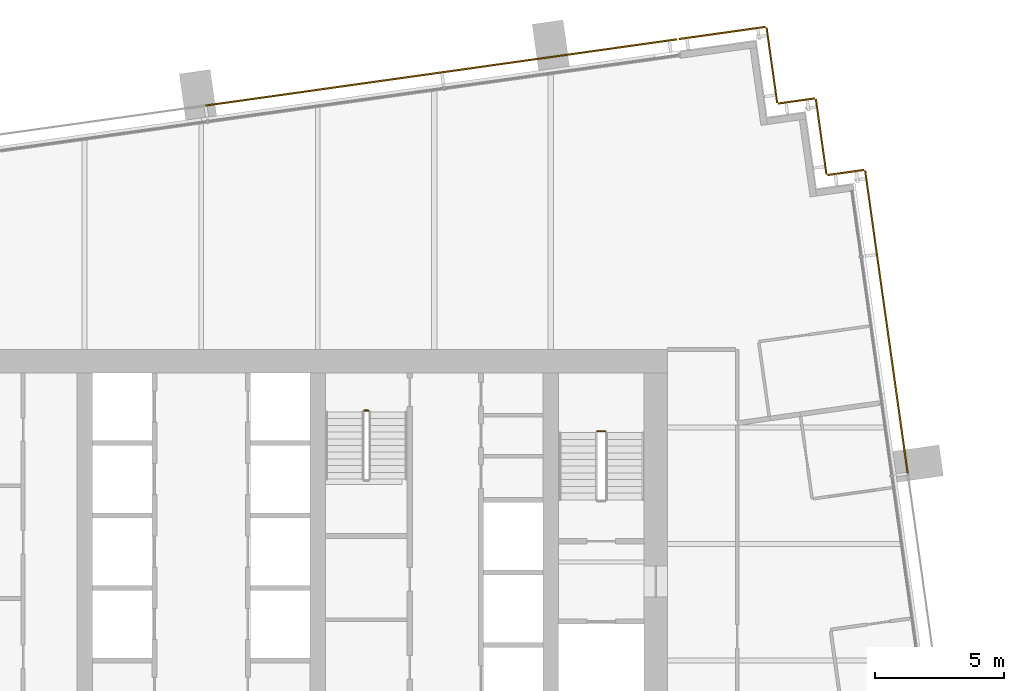
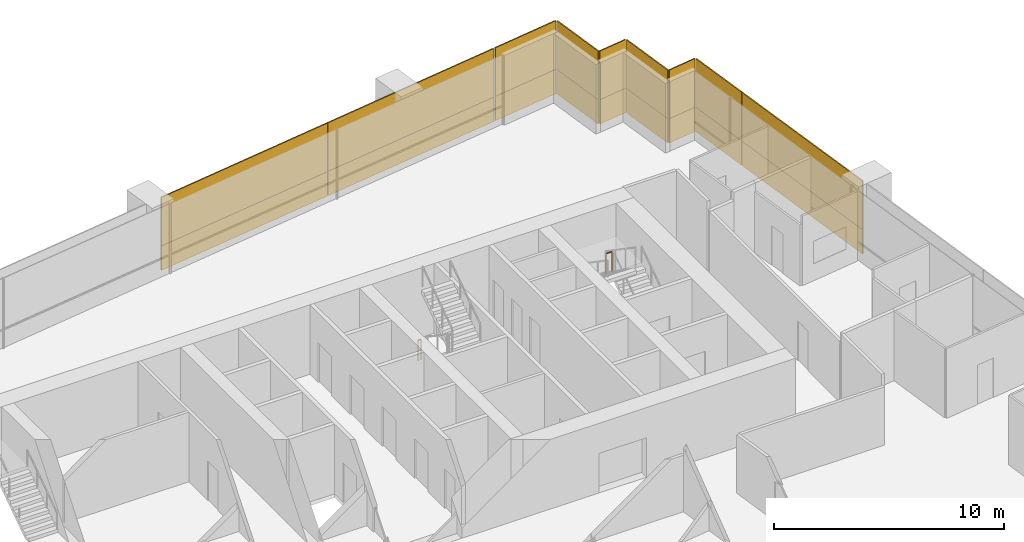
# One storey, part 18 of 18: 18 coverings, 2 railings.
"""IFC4 building model written with IfcOpenShell, lengths in metres."""

from ifc_helpers import new_model, si_unit, direction, frame, origin, origin_2d, place, context, subcontext, project, spatial, rectangle, extrude, material, layer, layer_set, type_object, element, save


model = new_model("IFC4")

# Units and contexts
model_context = context("Model", 3, precision=1e-05, world=origin(), true_north=direction((0.0, 1.0)))
body_context = subcontext(model_context, "Body", "Model", "MODEL_VIEW")
ifc_project = project(units=[si_unit("LENGTHUNIT", "METRE"), si_unit("AREAUNIT", "SQUARE_METRE"), si_unit("VOLUMEUNIT", "CUBIC_METRE"), si_unit("PLANEANGLEUNIT", "RADIAN"), si_unit("MASSUNIT", "GRAM", prefix="KILO")], contexts=[model_context])

# Site, building, storey
site_placement = place(None, origin())
site = spatial("IfcSite", under=ifc_project, at=site_placement, CompositionType="ELEMENT")
building_placement = place(site_placement, origin())
building = spatial("IfcBuilding", under=site, at=building_placement, Name="Rattan Terrace Tower", CompositionType="ELEMENT")
storey_placement = place(building_placement, frame((0.0, 0.0, 188.0)))
storey = spatial("IfcBuildingStorey", under=building, at=storey_placement, Name="L43", CompositionType="ELEMENT", Elevation=188.0)

# Railings
ifc_material_1 = material(Name="Powder-coated steel guard", Category="steel")
railing_type = type_object("IfcRailingType", Name="Core stair guard", PredefinedType="GUARDRAIL", material=ifc_material_1)
railing_1_placement = place(storey_placement, frame((15.60009765625, 4.35009765625, 1.949951171875)))
element("IfcRailing", 1, at=railing_1_placement, inside=storey, type_object=railing_type, Name="L43 S2 stair guard 2", PredefinedType="GUARDRAIL", context=body_context, shape_type="SweptSolid", body=[
    extrude(rectangle(XDim=0.048095703125, YDim=0.048095703125, at=origin_2d()), frame((0.0, 0.0, 1.076171875), z_axis=(-1.0, 0.0, 0.0), x_axis=(0.0, -1.0, 0.0)), (0.0, 0.0, 1.0), 0.300048828125),
    extrude(rectangle(XDim=0.0419921875, YDim=0.0419921875, at=origin_2d()), origin(), (0.0, 0.0, 1.0), 1.052001953125),
    extrude(rectangle(XDim=0.0419921875, YDim=0.0419921875, at=origin_2d()), frame((-0.300048828125, 0.0, 0.0)), (0.0, 0.0, 1.0), 1.052001953125),
])
railing_2_placement = place(storey_placement, frame((6.300048828125, 5.14990234375, 0.0)))
element("IfcRailing", 2, at=railing_2_placement, inside=storey, type_object=railing_type, Name="L43 S3 stair guard 4", PredefinedType="GUARDRAIL", context=body_context, shape_type="SweptSolid", body=[
    extrude(rectangle(XDim=0.048095703125, YDim=0.048095703125, at=origin_2d()), frame((0.0, 0.0, 1.076171875), z_axis=(1.0, 0.0, 0.0), x_axis=(0.0, 1.0, 0.0)), (0.0, 0.0, 1.0), 0.14990234375),
    extrude(rectangle(XDim=0.0419921875, YDim=0.0419921875, at=origin_2d()), origin(), (0.0, 0.0, 1.0), 1.052001953125),
    extrude(rectangle(XDim=0.0419921875, YDim=0.0419921875, at=origin_2d()), frame((0.14990234375, 0.0, 0.0)), (0.0, 0.0, 1.0), 1.052001953125),
])

# Coverings
ifc_material_2 = material(Name="Solid terracotta", Category="masonry")
ifc_layer_1 = layer(ifc_material_2, 0.06005859375)
ifc_layer_set_1 = layer_set([ifc_layer_1], Name="Facade Terracotta Band Panel")
covering_type_1 = type_object("IfcCoveringType", Name="Facade Terracotta Band Panel", PredefinedType="CLADDING", material=ifc_layer_set_1)
covering_1_placement = place(storey_placement, frame((26.6865234375, 6.945556640625, -0.18994140625), z_axis=(0.0, 0.0, 1.0), x_axis=(-0.139190856006, 0.99026557327, 0.0)))
element("IfcCovering", 3, at=covering_1_placement, inside=storey, type_object=covering_type_1, Name="OUTER SKIN panel L43-8A", PredefinedType="CLADDING", context=body_context, shape_type="SweptSolid", body=[
    extrude(rectangle(XDim=8.530029296875, YDim=0.06005859375, at=origin_2d()), origin(), (0.0, 0.0, 1.0), 1.300048828125),
])
covering_2_placement = place(storey_placement, frame((25.86376953125, 12.79833984375, -0.18994140625), z_axis=(0.0, 0.0, 1.0), x_axis=(-0.139190856006, 0.99026557327, 0.0)))
element("IfcCovering", 4, at=covering_2_placement, inside=storey, type_object=covering_type_1, Name="OUTER SKIN panel L43-9A", PredefinedType="CLADDING", context=body_context, shape_type="SweptSolid", body=[
    extrude(rectangle(XDim=3.25048828125, YDim=0.06005859375, at=origin_2d()), origin(), (0.0, 0.0, 1.0), 1.300048828125),
])
covering_3_placement = place(storey_placement, frame((24.889404296875, 14.3427734375, -0.18994140625), z_axis=(0.0, 0.0, 1.0), x_axis=(-0.990240767803, -0.139367219175, 0.0)))
element("IfcCovering", 5, at=covering_3_placement, inside=storey, type_object=covering_type_1, Name="OUTER SKIN panel L43-10A", PredefinedType="CLADDING", context=body_context, shape_type="SweptSolid", body=[
    extrude(rectangle(XDim=1.419677734375, YDim=0.06005859375, at=origin_2d()), origin(), (0.0, 0.0, 1.0), 1.300048828125),
])
covering_4_placement = place(storey_placement, frame((23.93798828125, 15.723876953125, -0.18994140625), z_axis=(0.0, 0.0, 1.0), x_axis=(-0.139321220646, 0.990247240581, 0.0)))
element("IfcCovering", 6, at=covering_4_placement, inside=storey, type_object=covering_type_1, Name="OUTER SKIN panel L43-11A", PredefinedType="CLADDING", context=body_context, shape_type="SweptSolid", body=[
    extrude(rectangle(XDim=2.920166015625, YDim=0.06005859375, at=origin_2d()), origin(), (0.0, 0.0, 1.0), 1.300048828125),
])
covering_5_placement = place(storey_placement, frame((22.986328125, 17.104736328125, -0.18994140625), z_axis=(0.0, 0.0, 1.0), x_axis=(-0.990240767803, -0.139367219175, 0.0)))
element("IfcCovering", 7, at=covering_5_placement, inside=storey, type_object=covering_type_1, Name="OUTER SKIN panel L43-12A", PredefinedType="CLADDING", context=body_context, shape_type="SweptSolid", body=[
    extrude(rectangle(XDim=1.419677734375, YDim=0.06005859375, at=origin_2d()), origin(), (0.0, 0.0, 1.0), 1.300048828125),
])
covering_6_placement = place(storey_placement, frame((22.034912109375, 18.48583984375, -0.18994140625), z_axis=(0.0, 0.0, 1.0), x_axis=(-0.139321220646, 0.990247240581, 0.0)))
element("IfcCovering", 8, at=covering_6_placement, inside=storey, type_object=covering_type_1, Name="OUTER SKIN panel L43-13A", PredefinedType="CLADDING", context=body_context, shape_type="SweptSolid", body=[
    extrude(rectangle(XDim=2.920166015625, YDim=0.06005859375, at=origin_2d()), origin(), (0.0, 0.0, 1.0), 1.300048828125),
])
covering_7_placement = place(storey_placement, frame((20.1181640625, 19.73095703125, -0.18994140625), z_axis=(0.0, 0.0, 1.0), x_axis=(-0.990240767803, -0.139367219175, 0.0)))
element("IfcCovering", 9, at=covering_7_placement, inside=storey, type_object=covering_type_1, Name="OUTER SKIN panel L43-14A", PredefinedType="CLADDING", context=body_context, shape_type="SweptSolid", body=[
    extrude(rectangle(XDim=3.369140625, YDim=0.06005859375, at=origin_2d()), origin(), (0.0, 0.0, 1.0), 1.300048828125),
])
covering_8_placement = place(storey_placement, frame((13.833740234375, 18.847412109375, -0.18994140625), z_axis=(0.0, 0.0, 1.0), x_axis=(-0.990269702686, -0.139161474347, 0.0)))
element("IfcCovering", 10, at=covering_8_placement, inside=storey, type_object=covering_type_1, Name="OUTER SKIN panel L43-15A", PredefinedType="CLADDING", context=body_context, shape_type="SweptSolid", body=[
    extrude(rectangle(XDim=9.162841796875, YDim=0.06005859375, at=origin_2d()), origin(), (0.0, 0.0, 1.0), 1.300048828125),
])
covering_9_placement = place(storey_placement, frame((4.725341796875, 17.5673828125, -0.18994140625), z_axis=(0.0, 0.0, 1.0), x_axis=(-0.990269702686, -0.139161474347, 0.0)))
element("IfcCovering", 11, at=covering_9_placement, inside=storey, type_object=covering_type_1, Name="OUTER SKIN panel L43-16A", PredefinedType="CLADDING", context=body_context, shape_type="SweptSolid", body=[
    extrude(rectangle(XDim=9.193115234375, YDim=0.06005859375, at=origin_2d()), origin(), (0.0, 0.0, 1.0), 1.300048828125),
])
ifc_material_3 = material(Name="Perforated terracotta", Category="masonry")
ifc_layer_2 = layer(ifc_material_3, 0.06005859375)
ifc_layer_set_2 = layer_set([ifc_layer_2], Name="Facade Terracotta Screen Panel")
covering_type_2 = type_object("IfcCoveringType", Name="Facade Terracotta Screen Panel", PredefinedType="CLADDING", material=ifc_layer_set_2)
covering_10_placement = place(storey_placement, frame((26.6865234375, 6.945556640625, 1.10986328125), z_axis=(0.0, 0.0, 1.0), x_axis=(-0.139190856006, 0.99026557327, 0.0)))
element("IfcCovering", 12, at=covering_10_placement, inside=storey, type_object=covering_type_2, Name="OUTER SKIN panel L43-8B", PredefinedType="CLADDING", context=body_context, shape_type="SweptSolid", body=[
    extrude(rectangle(XDim=8.530029296875, YDim=0.06005859375, at=origin_2d()), origin(), (0.0, 0.0, 1.0), 2.580078125),
])
covering_11_placement = place(storey_placement, frame((25.86376953125, 12.79833984375, 1.10986328125), z_axis=(0.0, 0.0, 1.0), x_axis=(-0.139190856006, 0.99026557327, 0.0)))
element("IfcCovering", 13, at=covering_11_placement, inside=storey, type_object=covering_type_2, Name="OUTER SKIN panel L43-9B", PredefinedType="CLADDING", context=body_context, shape_type="SweptSolid", body=[
    extrude(rectangle(XDim=3.25048828125, YDim=0.06005859375, at=origin_2d()), origin(), (0.0, 0.0, 1.0), 2.580078125),
])
covering_12_placement = place(storey_placement, frame((24.889404296875, 14.3427734375, 1.10986328125), z_axis=(0.0, 0.0, 1.0), x_axis=(-0.990240767803, -0.139367219175, 0.0)))
element("IfcCovering", 14, at=covering_12_placement, inside=storey, type_object=covering_type_2, Name="OUTER SKIN panel L43-10B", PredefinedType="CLADDING", context=body_context, shape_type="SweptSolid", body=[
    extrude(rectangle(XDim=1.419677734375, YDim=0.06005859375, at=origin_2d()), origin(), (0.0, 0.0, 1.0), 2.580078125),
])
covering_13_placement = place(storey_placement, frame((23.93798828125, 15.723876953125, 1.10986328125), z_axis=(0.0, 0.0, 1.0), x_axis=(-0.139321220646, 0.990247240581, 0.0)))
element("IfcCovering", 15, at=covering_13_placement, inside=storey, type_object=covering_type_2, Name="OUTER SKIN panel L43-11B", PredefinedType="CLADDING", context=body_context, shape_type="SweptSolid", body=[
    extrude(rectangle(XDim=2.920166015625, YDim=0.06005859375, at=origin_2d()), origin(), (0.0, 0.0, 1.0), 2.580078125),
])
covering_14_placement = place(storey_placement, frame((22.986328125, 17.104736328125, 1.10986328125), z_axis=(0.0, 0.0, 1.0), x_axis=(-0.990240767803, -0.139367219175, 0.0)))
element("IfcCovering", 16, at=covering_14_placement, inside=storey, type_object=covering_type_2, Name="OUTER SKIN panel L43-12B", PredefinedType="CLADDING", context=body_context, shape_type="SweptSolid", body=[
    extrude(rectangle(XDim=1.419677734375, YDim=0.06005859375, at=origin_2d()), origin(), (0.0, 0.0, 1.0), 2.580078125),
])
covering_15_placement = place(storey_placement, frame((22.034912109375, 18.48583984375, 1.10986328125), z_axis=(0.0, 0.0, 1.0), x_axis=(-0.139321220646, 0.990247240581, 0.0)))
element("IfcCovering", 17, at=covering_15_placement, inside=storey, type_object=covering_type_2, Name="OUTER SKIN panel L43-13B", PredefinedType="CLADDING", context=body_context, shape_type="SweptSolid", body=[
    extrude(rectangle(XDim=2.920166015625, YDim=0.06005859375, at=origin_2d()), origin(), (0.0, 0.0, 1.0), 2.580078125),
])
covering_16_placement = place(storey_placement, frame((20.1181640625, 19.73095703125, 1.10986328125), z_axis=(0.0, 0.0, 1.0), x_axis=(-0.990240767803, -0.139367219175, 0.0)))
element("IfcCovering", 18, at=covering_16_placement, inside=storey, type_object=covering_type_2, Name="OUTER SKIN panel L43-14B", PredefinedType="CLADDING", context=body_context, shape_type="SweptSolid", body=[
    extrude(rectangle(XDim=3.369140625, YDim=0.06005859375, at=origin_2d()), origin(), (0.0, 0.0, 1.0), 2.580078125),
])
covering_17_placement = place(storey_placement, frame((13.833740234375, 18.847412109375, 1.10986328125), z_axis=(0.0, 0.0, 1.0), x_axis=(-0.990269702686, -0.139161474347, 0.0)))
element("IfcCovering", 19, at=covering_17_placement, inside=storey, type_object=covering_type_2, Name="OUTER SKIN panel L43-15B", PredefinedType="CLADDING", context=body_context, shape_type="SweptSolid", body=[
    extrude(rectangle(XDim=9.162841796875, YDim=0.06005859375, at=origin_2d()), origin(), (0.0, 0.0, 1.0), 2.580078125),
])
covering_18_placement = place(storey_placement, frame((4.725341796875, 17.5673828125, 1.10986328125), z_axis=(0.0, 0.0, 1.0), x_axis=(-0.990269702686, -0.139161474347, 0.0)))
element("IfcCovering", 20, at=covering_18_placement, inside=storey, type_object=covering_type_2, Name="OUTER SKIN panel L43-16B", PredefinedType="CLADDING", context=body_context, shape_type="SweptSolid", body=[
    extrude(rectangle(XDim=9.193115234375, YDim=0.06005859375, at=origin_2d()), origin(), (0.0, 0.0, 1.0), 2.580078125),
])

save(model, "model.ifc")
